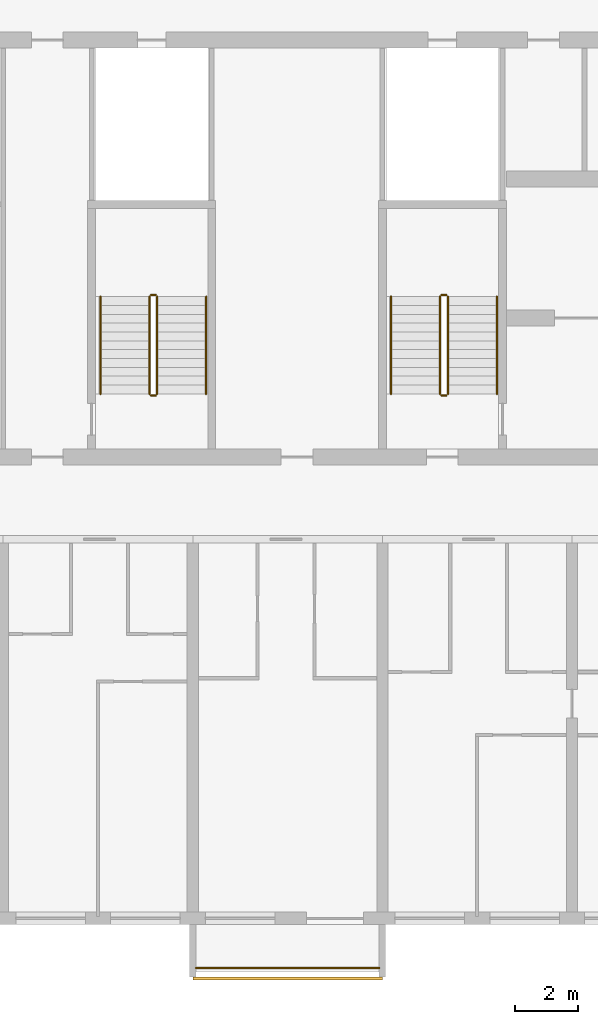
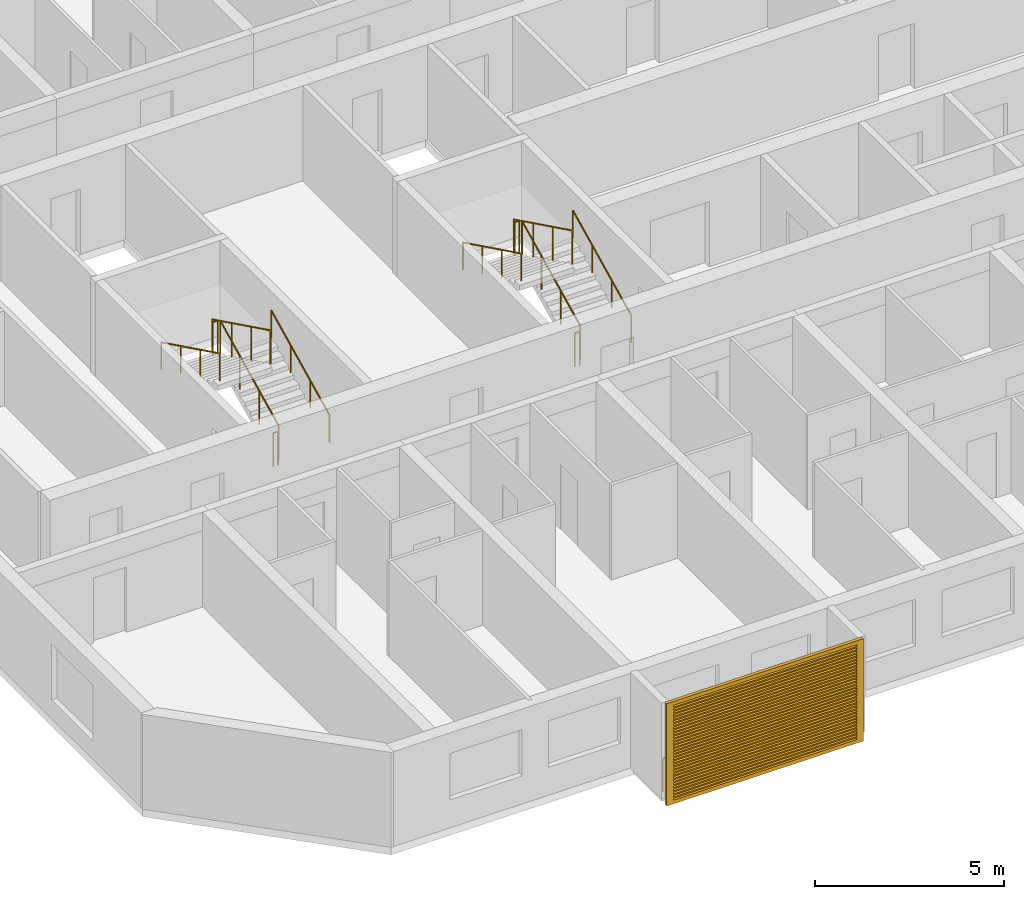
# One storey, part 15 of 24: 13 railings, 1 shading device.
"""IFC4 building model written with IfcOpenShell, lengths in metres."""

from ifc_helpers import new_model, si_unit, direction, frame, origin, origin_2d, place, context, subcontext, project, spatial, polyline, circle, outline, extrude, source, transform, mapped, material, material_profile, profile_set, type_object, element, save


model = new_model("IFC4")

# Units and contexts
model_context = context("Model", 3, precision=1e-05, world=origin(), true_north=direction((0.0, 1.0)))
body_context = subcontext(model_context, "Body", "Model", "MODEL_VIEW")
ifc_project = project(units=[si_unit("LENGTHUNIT", "METRE"), si_unit("AREAUNIT", "SQUARE_METRE"), si_unit("VOLUMEUNIT", "CUBIC_METRE"), si_unit("PLANEANGLEUNIT", "RADIAN"), si_unit("MASSUNIT", "GRAM", prefix="KILO")], contexts=[model_context])

# Site, building, storey
site_placement = place(None, origin())
site = spatial("IfcSite", under=ifc_project, at=site_placement, CompositionType="ELEMENT")
building_placement = place(site_placement, origin())
building = spatial("IfcBuilding", under=site, at=building_placement, Name="Poui Terraces", CompositionType="ELEMENT")
storey_placement = place(building_placement, frame((0.0, 0.0, 109.199951171875)))
storey = spatial("IfcBuildingStorey", under=building, at=storey_placement, Name="L30", CompositionType="ELEMENT", Elevation=109.199951171875)

# Railings
ifc_material_1 = material(Name="Painted steel fretwork", Category="steel")
railing_type_1 = type_object("IfcRailingType", Name="BALCONY GUARD 1100", PredefinedType="GUARDRAIL", material=ifc_material_1)
railing_1_placement = place(storey_placement, frame((24.10009765625, -1.570068359375, 0.0)))
element("IfcRailing", 1, at=railing_1_placement, inside=storey, type_object=railing_type_1, Name="BALCONY GUARD", PredefinedType="GUARDRAIL", context=body_context, shape_type="SweptSolid", body=[
    extrude(circle(Radius=0.02392578125, at=origin_2d()), frame((0.0, 0.0, 1.076171875), z_axis=(1.0, 0.0, 0.0), x_axis=(0.0, 1.0, 0.0)), (0.0, 0.0, 1.0), 5.7998046875),
    extrude(circle(Radius=0.02099609375, at=origin_2d()), origin(), (0.0, 0.0, 1.0), 1.052001953125),
    extrude(circle(Radius=0.02099609375, at=origin_2d()), frame((0.966552734375, 0.0, 0.0)), (0.0, 0.0, 1.0), 1.052001953125),
    extrude(circle(Radius=0.02099609375, at=origin_2d()), frame((1.933349609375, 0.0, 0.0)), (0.0, 0.0, 1.0), 1.052001953125),
    extrude(circle(Radius=0.02099609375, at=origin_2d()), frame((2.89990234375, 0.0, 0.0)), (0.0, 0.0, 1.0), 1.052001953125),
    extrude(circle(Radius=0.02099609375, at=origin_2d()), frame((3.866455078125, 0.0, 0.0)), (0.0, 0.0, 1.0), 1.052001953125),
    extrude(circle(Radius=0.02099609375, at=origin_2d()), frame((4.833251953125, 0.0, 0.0)), (0.0, 0.0, 1.0), 1.052001953125),
    extrude(circle(Radius=0.02099609375, at=origin_2d()), frame((5.7998046875, 0.0, 0.0)), (0.0, 0.0, 1.0), 1.052001953125),
])
ifc_material_2 = material(Name="Galvanised steel balustrade", Category="steel")
railing_type_2 = type_object("IfcRailingType", Name="STAIR GUARD 1100", PredefinedType="GUARDRAIL", material=ifc_material_2)
railing_2_placement = place(storey_placement, frame((32.074951171875, 16.60009765625, 0.137451171875)))
element("IfcRailing", 2, at=railing_2_placement, inside=storey, type_object=railing_type_2, Name="L30 ST-CW stair guard 1", PredefinedType="GUARDRAIL", context=body_context, shape_type="SweptSolid", body=[
    extrude(circle(Radius=0.02392578125, at=origin_2d()), frame((0.0, 0.0, 1.076171875), z_axis=(0.0, 0.897578036475, 0.440855609512), x_axis=(-1.0, 0.0, 0.0)), (0.0, 0.0, 1.0), 3.43115234375),
    extrude(circle(Radius=0.02099609375, at=origin_2d()), origin(), (0.0, 0.0, 1.0), 1.052001953125),
    extrude(circle(Radius=0.02099609375, at=origin_2d()), frame((0.0, 1.026611328125, 0.504150390625)), (0.0, 0.0, 1.0), 1.052001953125),
    extrude(circle(Radius=0.02099609375, at=origin_2d()), frame((0.0, 2.05322265625, 1.008544921875)), (0.0, 0.0, 1.0), 1.052001953125),
    extrude(circle(Radius=0.02099609375, at=origin_2d()), frame((0.0, 3.079833984375, 1.5126953125)), (0.0, 0.0, 1.0), 1.052001953125),
])
railing_3_placement = place(storey_placement, frame((32.02490234375, 19.72998046875, 1.650146484375)))
element("IfcRailing", 3, at=railing_3_placement, inside=storey, type_object=railing_type_2, Name="L30 ST-CW stair guard 2", PredefinedType="GUARDRAIL", context=body_context, shape_type="SweptSolid", body=[
    extrude(circle(Radius=0.02392578125, at=origin_2d()), frame((0.0, 0.0, 1.076171875), z_axis=(-1.0, 0.0, 0.0), x_axis=(0.0, -1.0, 0.0)), (0.0, 0.0, 1.0), 0.14990234375),
    extrude(circle(Radius=0.02099609375, at=origin_2d()), origin(), (0.0, 0.0, 1.0), 1.052001953125),
    extrude(circle(Radius=0.02099609375, at=origin_2d()), frame((-0.14990234375, 0.0, 0.0)), (0.0, 0.0, 1.0), 1.052001953125),
])
railing_4_placement = place(storey_placement, frame((31.824951171875, 19.679931640625, 1.78759765625)))
element("IfcRailing", 4, at=railing_4_placement, inside=storey, type_object=railing_type_2, Name="L30 ST-CW stair guard 3", PredefinedType="GUARDRAIL", context=body_context, shape_type="SweptSolid", body=[
    extrude(circle(Radius=0.02392578125, at=origin_2d()), frame((0.0, 0.0, 1.076171875), z_axis=(0.0, -0.897606190399, 0.440798283751), x_axis=(1.0, 0.0, 0.0)), (0.0, 0.0, 1.0), 3.43115234375),
    extrude(circle(Radius=0.02099609375, at=origin_2d()), origin(), (0.0, 0.0, 1.0), 1.052001953125),
    extrude(circle(Radius=0.02099609375, at=origin_2d()), frame((0.0, -1.026611328125, 0.504150390625)), (0.0, 0.0, 1.0), 1.052001953125),
    extrude(circle(Radius=0.02099609375, at=origin_2d()), frame((0.0, -2.05322265625, 1.00830078125)), (0.0, 0.0, 1.0), 1.052001953125),
    extrude(circle(Radius=0.02099609375, at=origin_2d()), frame((0.0, -3.079833984375, 1.512451171875)), (0.0, 0.0, 1.0), 1.052001953125),
])
railing_5_placement = place(storey_placement, frame((32.02490234375, 16.550048828125, 0.0)))
element("IfcRailing", 5, at=railing_5_placement, inside=storey, type_object=railing_type_2, Name="L30 ST-CW stair guard 4", PredefinedType="GUARDRAIL", context=body_context, shape_type="SweptSolid", body=[
    extrude(circle(Radius=0.02392578125, at=origin_2d()), frame((0.0, 0.0, 1.076171875), z_axis=(-1.0, 0.0, 0.0), x_axis=(0.0, -1.0, 0.0)), (0.0, 0.0, 1.0), 0.14990234375),
    extrude(circle(Radius=0.02099609375, at=origin_2d()), origin(), (0.0, 0.0, 1.0), 1.052001953125),
    extrude(circle(Radius=0.02099609375, at=origin_2d()), frame((-0.14990234375, 0.0, 0.0)), (0.0, 0.0, 1.0), 1.052001953125),
])
railing_6_placement = place(storey_placement, frame((22.875, 16.60009765625, 0.137451171875)))
element("IfcRailing", 6, at=railing_6_placement, inside=storey, type_object=railing_type_2, Name="L30 ST-W stair guard 1", PredefinedType="GUARDRAIL", context=body_context, shape_type="SweptSolid", body=[
    extrude(circle(Radius=0.02392578125, at=origin_2d()), frame((0.0, 0.0, 1.076171875), z_axis=(0.0, 0.897578036475, 0.440855609512), x_axis=(-1.0, 0.0, 0.0)), (0.0, 0.0, 1.0), 3.43115234375),
    extrude(circle(Radius=0.02099609375, at=origin_2d()), origin(), (0.0, 0.0, 1.0), 1.052001953125),
    extrude(circle(Radius=0.02099609375, at=origin_2d()), frame((0.0, 1.026611328125, 0.504150390625)), (0.0, 0.0, 1.0), 1.052001953125),
    extrude(circle(Radius=0.02099609375, at=origin_2d()), frame((0.0, 2.05322265625, 1.008544921875)), (0.0, 0.0, 1.0), 1.052001953125),
    extrude(circle(Radius=0.02099609375, at=origin_2d()), frame((0.0, 3.079833984375, 1.5126953125)), (0.0, 0.0, 1.0), 1.052001953125),
])
railing_7_placement = place(storey_placement, frame((22.824951171875, 19.72998046875, 1.650146484375)))
element("IfcRailing", 7, at=railing_7_placement, inside=storey, type_object=railing_type_2, Name="L30 ST-W stair guard 2", PredefinedType="GUARDRAIL", context=body_context, shape_type="SweptSolid", body=[
    extrude(circle(Radius=0.02392578125, at=origin_2d()), frame((0.0, 0.0, 1.076171875), z_axis=(-1.0, 0.0, 0.0), x_axis=(0.0, -1.0, 0.0)), (0.0, 0.0, 1.0), 0.14990234375),
    extrude(circle(Radius=0.02099609375, at=origin_2d()), origin(), (0.0, 0.0, 1.0), 1.052001953125),
    extrude(circle(Radius=0.02099609375, at=origin_2d()), frame((-0.14990234375, 0.0, 0.0)), (0.0, 0.0, 1.0), 1.052001953125),
])
railing_8_placement = place(storey_placement, frame((22.625, 19.679931640625, 1.78759765625)))
element("IfcRailing", 8, at=railing_8_placement, inside=storey, type_object=railing_type_2, Name="L30 ST-W stair guard 3", PredefinedType="GUARDRAIL", context=body_context, shape_type="SweptSolid", body=[
    extrude(circle(Radius=0.02392578125, at=origin_2d()), frame((0.0, 0.0, 1.076171875), z_axis=(0.0, -0.897606190399, 0.440798283751), x_axis=(1.0, 0.0, 0.0)), (0.0, 0.0, 1.0), 3.43115234375),
    extrude(circle(Radius=0.02099609375, at=origin_2d()), origin(), (0.0, 0.0, 1.0), 1.052001953125),
    extrude(circle(Radius=0.02099609375, at=origin_2d()), frame((0.0, -1.026611328125, 0.504150390625)), (0.0, 0.0, 1.0), 1.052001953125),
    extrude(circle(Radius=0.02099609375, at=origin_2d()), frame((0.0, -2.05322265625, 1.00830078125)), (0.0, 0.0, 1.0), 1.052001953125),
    extrude(circle(Radius=0.02099609375, at=origin_2d()), frame((0.0, -3.079833984375, 1.512451171875)), (0.0, 0.0, 1.0), 1.052001953125),
])
railing_9_placement = place(storey_placement, frame((22.824951171875, 16.550048828125, 0.0)))
element("IfcRailing", 9, at=railing_9_placement, inside=storey, type_object=railing_type_2, Name="L30 ST-W stair guard 4", PredefinedType="GUARDRAIL", context=body_context, shape_type="SweptSolid", body=[
    extrude(circle(Radius=0.02392578125, at=origin_2d()), frame((0.0, 0.0, 1.076171875), z_axis=(-1.0, 0.0, 0.0), x_axis=(0.0, -1.0, 0.0)), (0.0, 0.0, 1.0), 0.14990234375),
    extrude(circle(Radius=0.02099609375, at=origin_2d()), origin(), (0.0, 0.0, 1.0), 1.052001953125),
    extrude(circle(Radius=0.02099609375, at=origin_2d()), frame((-0.14990234375, 0.0, 0.0)), (0.0, 0.0, 1.0), 1.052001953125),
])
ifc_material_3 = material(Name="Stainless steel handrail", Category="steel")
railing_type_3 = type_object("IfcRailingType", Name="STAIR HANDRAIL 900", PredefinedType="HANDRAIL", material=ifc_material_3)
railing_10_placement = place(storey_placement, frame((33.625, 16.60009765625, 0.137451171875)))
element("IfcRailing", 10, at=railing_10_placement, inside=storey, type_object=railing_type_3, Name="L30 ST-CW stair handrail 1", PredefinedType="HANDRAIL", context=body_context, shape_type="SweptSolid", body=[
    extrude(circle(Radius=0.02392578125, at=origin_2d()), frame((0.0, 0.0, 0.8759765625), z_axis=(0.0, 0.897578036475, 0.440855609512), x_axis=(-1.0, 0.0, 0.0)), (0.0, 0.0, 1.0), 3.43115234375),
    extrude(circle(Radius=0.02099609375, at=origin_2d()), origin(), (0.0, 0.0, 1.0), 0.851806640625),
    extrude(circle(Radius=0.02099609375, at=origin_2d()), frame((0.0, 1.026611328125, 0.504150390625)), (0.0, 0.0, 1.0), 0.851806640625),
    extrude(circle(Radius=0.02099609375, at=origin_2d()), frame((0.0, 2.05322265625, 1.008544921875)), (0.0, 0.0, 1.0), 0.851806640625),
    extrude(circle(Radius=0.02099609375, at=origin_2d()), frame((0.0, 3.079833984375, 1.5126953125)), (0.0, 0.0, 1.0), 0.851806640625),
])
railing_11_placement = place(storey_placement, frame((30.27490234375, 19.679931640625, 1.78759765625)))
element("IfcRailing", 11, at=railing_11_placement, inside=storey, type_object=railing_type_3, Name="L30 ST-CW stair handrail 2", PredefinedType="HANDRAIL", context=body_context, shape_type="SweptSolid", body=[
    extrude(circle(Radius=0.02392578125, at=origin_2d()), frame((0.0, 0.0, 0.8759765625), z_axis=(0.0, -0.897606190399, 0.440798283751), x_axis=(1.0, 0.0, 0.0)), (0.0, 0.0, 1.0), 3.43115234375),
    extrude(circle(Radius=0.02099609375, at=origin_2d()), origin(), (0.0, 0.0, 1.0), 0.851806640625),
    extrude(circle(Radius=0.02099609375, at=origin_2d()), frame((0.0, -1.026611328125, 0.504150390625)), (0.0, 0.0, 1.0), 0.851806640625),
    extrude(circle(Radius=0.02099609375, at=origin_2d()), frame((0.0, -2.05322265625, 1.00830078125)), (0.0, 0.0, 1.0), 0.851806640625),
    extrude(circle(Radius=0.02099609375, at=origin_2d()), frame((0.0, -3.079833984375, 1.512451171875)), (0.0, 0.0, 1.0), 0.851806640625),
])
railing_12_placement = place(storey_placement, frame((24.425048828125, 16.60009765625, 0.137451171875)))
element("IfcRailing", 12, at=railing_12_placement, inside=storey, type_object=railing_type_3, Name="L30 ST-W stair handrail 1", PredefinedType="HANDRAIL", context=body_context, shape_type="SweptSolid", body=[
    extrude(circle(Radius=0.02392578125, at=origin_2d()), frame((0.0, 0.0, 0.8759765625), z_axis=(0.0, 0.897578036475, 0.440855609512), x_axis=(-1.0, 0.0, 0.0)), (0.0, 0.0, 1.0), 3.43115234375),
    extrude(circle(Radius=0.02099609375, at=origin_2d()), origin(), (0.0, 0.0, 1.0), 0.851806640625),
    extrude(circle(Radius=0.02099609375, at=origin_2d()), frame((0.0, 1.026611328125, 0.504150390625)), (0.0, 0.0, 1.0), 0.851806640625),
    extrude(circle(Radius=0.02099609375, at=origin_2d()), frame((0.0, 2.05322265625, 1.008544921875)), (0.0, 0.0, 1.0), 0.851806640625),
    extrude(circle(Radius=0.02099609375, at=origin_2d()), frame((0.0, 3.079833984375, 1.5126953125)), (0.0, 0.0, 1.0), 0.851806640625),
])
railing_13_placement = place(storey_placement, frame((21.074951171875, 19.679931640625, 1.78759765625)))
element("IfcRailing", 13, at=railing_13_placement, inside=storey, type_object=railing_type_3, Name="L30 ST-W stair handrail 2", PredefinedType="HANDRAIL", context=body_context, shape_type="SweptSolid", body=[
    extrude(circle(Radius=0.02392578125, at=origin_2d()), frame((0.0, 0.0, 0.8759765625), z_axis=(0.0, -0.897606190399, 0.440798283751), x_axis=(1.0, 0.0, 0.0)), (0.0, 0.0, 1.0), 3.43115234375),
    extrude(circle(Radius=0.02099609375, at=origin_2d()), origin(), (0.0, 0.0, 1.0), 0.851806640625),
    extrude(circle(Radius=0.02099609375, at=origin_2d()), frame((0.0, -1.026611328125, 0.504150390625)), (0.0, 0.0, 1.0), 0.851806640625),
    extrude(circle(Radius=0.02099609375, at=origin_2d()), frame((0.0, -2.05322265625, 1.00830078125)), (0.0, 0.0, 1.0), 0.851806640625),
    extrude(circle(Radius=0.02099609375, at=origin_2d()), frame((0.0, -3.079833984375, 1.512451171875)), (0.0, 0.0, 1.0), 0.851806640625),
])

# Shading device
ifc_material_4 = material(Name="Aluminium louvre", Category="aluminium")
ifc_material_profile = material_profile(ifc_material_4, outline(polyline([(-3.0, -1.64990234375), (3.0, -1.64990234375), (3.0, 1.64990234375), (-3.0, 1.64990234375), (-3.0, -1.64990234375)]), holes=[polyline([(-2.800048828125, -1.530029296875), (2.800048828125, -1.530029296875), (2.800048828125, -1.469970703125), (-2.800048828125, -1.469970703125), (-2.800048828125, -1.530029296875)]), polyline([(-2.800048828125, -1.429931640625), (2.800048828125, -1.429931640625), (2.800048828125, -1.3701171875), (-2.800048828125, -1.3701171875), (-2.800048828125, -1.429931640625)]), polyline([(-2.800048828125, -1.330078125), (2.800048828125, -1.330078125), (2.800048828125, -1.27001953125), (-2.800048828125, -1.27001953125), (-2.800048828125, -1.330078125)]), polyline([(-2.800048828125, -1.22998046875), (2.800048828125, -1.22998046875), (2.800048828125, -1.169921875), (-2.800048828125, -1.169921875), (-2.800048828125, -1.22998046875)]), polyline([(-2.800048828125, -1.1298828125), (2.800048828125, -1.1298828125), (2.800048828125, -1.070068359375), (-2.800048828125, -1.070068359375), (-2.800048828125, -1.1298828125)]), polyline([(-2.800048828125, -1.030029296875), (2.800048828125, -1.030029296875), (2.800048828125, -0.969970703125), (-2.800048828125, -0.969970703125), (-2.800048828125, -1.030029296875)]), polyline([(-2.800048828125, -0.929931640625), (2.800048828125, -0.929931640625), (2.800048828125, -0.8701171875), (-2.800048828125, -0.8701171875), (-2.800048828125, -0.929931640625)]), polyline([(-2.800048828125, -0.830078125), (2.800048828125, -0.830078125), (2.800048828125, -0.77001953125), (-2.800048828125, -0.77001953125), (-2.800048828125, -0.830078125)]), polyline([(-2.800048828125, -0.72998046875), (2.800048828125, -0.72998046875), (2.800048828125, -0.669921875), (-2.800048828125, -0.669921875), (-2.800048828125, -0.72998046875)]), polyline([(-2.800048828125, -0.6298828125), (2.800048828125, -0.6298828125), (2.800048828125, -0.570068359375), (-2.800048828125, -0.570068359375), (-2.800048828125, -0.6298828125)]), polyline([(-2.800048828125, -0.530029296875), (2.800048828125, -0.530029296875), (2.800048828125, -0.469970703125), (-2.800048828125, -0.469970703125), (-2.800048828125, -0.530029296875)]), polyline([(-2.800048828125, -0.429931640625), (2.800048828125, -0.429931640625), (2.800048828125, -0.3701171875), (-2.800048828125, -0.3701171875), (-2.800048828125, -0.429931640625)]), polyline([(-2.800048828125, -0.330078125), (2.800048828125, -0.330078125), (2.800048828125, -0.27001953125), (-2.800048828125, -0.27001953125), (-2.800048828125, -0.330078125)]), polyline([(-2.800048828125, -0.22998046875), (2.800048828125, -0.22998046875), (2.800048828125, -0.169921875), (-2.800048828125, -0.169921875), (-2.800048828125, -0.22998046875)]), polyline([(-2.800048828125, -0.1298828125), (2.800048828125, -0.1298828125), (2.800048828125, -0.070068359375), (-2.800048828125, -0.070068359375), (-2.800048828125, -0.1298828125)]), polyline([(-2.800048828125, -0.030029296875), (2.800048828125, -0.030029296875), (2.800048828125, 0.030029296875), (-2.800048828125, 0.030029296875), (-2.800048828125, -0.030029296875)]), polyline([(-2.800048828125, 0.070068359375), (2.800048828125, 0.070068359375), (2.800048828125, 0.1298828125), (-2.800048828125, 0.1298828125), (-2.800048828125, 0.070068359375)]), polyline([(-2.800048828125, 0.169921875), (2.800048828125, 0.169921875), (2.800048828125, 0.22998046875), (-2.800048828125, 0.22998046875), (-2.800048828125, 0.169921875)]), polyline([(-2.800048828125, 0.27001953125), (2.800048828125, 0.27001953125), (2.800048828125, 0.330078125), (-2.800048828125, 0.330078125), (-2.800048828125, 0.27001953125)]), polyline([(-2.800048828125, 0.3701171875), (2.800048828125, 0.3701171875), (2.800048828125, 0.429931640625), (-2.800048828125, 0.429931640625), (-2.800048828125, 0.3701171875)]), polyline([(-2.800048828125, 0.469970703125), (2.800048828125, 0.469970703125), (2.800048828125, 0.530029296875), (-2.800048828125, 0.530029296875), (-2.800048828125, 0.469970703125)]), polyline([(-2.800048828125, 0.570068359375), (2.800048828125, 0.570068359375), (2.800048828125, 0.6298828125), (-2.800048828125, 0.6298828125), (-2.800048828125, 0.570068359375)]), polyline([(-2.800048828125, 0.669921875), (2.800048828125, 0.669921875), (2.800048828125, 0.72998046875), (-2.800048828125, 0.72998046875), (-2.800048828125, 0.669921875)]), polyline([(-2.800048828125, 0.77001953125), (2.800048828125, 0.77001953125), (2.800048828125, 0.830078125), (-2.800048828125, 0.830078125), (-2.800048828125, 0.77001953125)]), polyline([(-2.800048828125, 0.8701171875), (2.800048828125, 0.8701171875), (2.800048828125, 0.929931640625), (-2.800048828125, 0.929931640625), (-2.800048828125, 0.8701171875)]), polyline([(-2.800048828125, 0.969970703125), (2.800048828125, 0.969970703125), (2.800048828125, 1.030029296875), (-2.800048828125, 1.030029296875), (-2.800048828125, 0.969970703125)]), polyline([(-2.800048828125, 1.070068359375), (2.800048828125, 1.070068359375), (2.800048828125, 1.1298828125), (-2.800048828125, 1.1298828125), (-2.800048828125, 1.070068359375)]), polyline([(-2.800048828125, 1.169921875), (2.800048828125, 1.169921875), (2.800048828125, 1.22998046875), (-2.800048828125, 1.22998046875), (-2.800048828125, 1.169921875)]), polyline([(-2.800048828125, 1.27001953125), (2.800048828125, 1.27001953125), (2.800048828125, 1.330078125), (-2.800048828125, 1.330078125), (-2.800048828125, 1.27001953125)]), polyline([(-2.800048828125, 1.3701171875), (2.800048828125, 1.3701171875), (2.800048828125, 1.429931640625), (-2.800048828125, 1.429931640625), (-2.800048828125, 1.3701171875)]), polyline([(-2.800048828125, 1.469970703125), (2.800048828125, 1.469970703125), (2.800048828125, 1.530029296875), (-2.800048828125, 1.530029296875), (-2.800048828125, 1.469970703125)])]), Name="JALOUSIE LOUVRE SHUTTER 6000X3300")
ifc_profile_set = profile_set([ifc_material_profile], Name="Aluminium louvre")
shading_device_type = type_object("IfcShadingDeviceType", Name="JALOUSIE LOUVRE SHUTTER 6000X3300", PredefinedType="JALOUSIE", material=ifc_profile_set)
shared_shape = source(origin(), body_context, "Body", "SweptSolid", [
    extrude(outline(polyline([(-3.0, -1.64990234375), (3.0, -1.64990234375), (3.0, 1.64990234375), (-3.0, 1.64990234375), (-3.0, -1.64990234375)]), holes=[polyline([(-2.800048828125, -1.530029296875), (2.800048828125, -1.530029296875), (2.800048828125, -1.469970703125), (-2.800048828125, -1.469970703125), (-2.800048828125, -1.530029296875)]), polyline([(-2.800048828125, -1.429931640625), (2.800048828125, -1.429931640625), (2.800048828125, -1.3701171875), (-2.800048828125, -1.3701171875), (-2.800048828125, -1.429931640625)]), polyline([(-2.800048828125, -1.330078125), (2.800048828125, -1.330078125), (2.800048828125, -1.27001953125), (-2.800048828125, -1.27001953125), (-2.800048828125, -1.330078125)]), polyline([(-2.800048828125, -1.22998046875), (2.800048828125, -1.22998046875), (2.800048828125, -1.169921875), (-2.800048828125, -1.169921875), (-2.800048828125, -1.22998046875)]), polyline([(-2.800048828125, -1.1298828125), (2.800048828125, -1.1298828125), (2.800048828125, -1.070068359375), (-2.800048828125, -1.070068359375), (-2.800048828125, -1.1298828125)]), polyline([(-2.800048828125, -1.030029296875), (2.800048828125, -1.030029296875), (2.800048828125, -0.969970703125), (-2.800048828125, -0.969970703125), (-2.800048828125, -1.030029296875)]), polyline([(-2.800048828125, -0.929931640625), (2.800048828125, -0.929931640625), (2.800048828125, -0.8701171875), (-2.800048828125, -0.8701171875), (-2.800048828125, -0.929931640625)]), polyline([(-2.800048828125, -0.830078125), (2.800048828125, -0.830078125), (2.800048828125, -0.77001953125), (-2.800048828125, -0.77001953125), (-2.800048828125, -0.830078125)]), polyline([(-2.800048828125, -0.72998046875), (2.800048828125, -0.72998046875), (2.800048828125, -0.669921875), (-2.800048828125, -0.669921875), (-2.800048828125, -0.72998046875)]), polyline([(-2.800048828125, -0.6298828125), (2.800048828125, -0.6298828125), (2.800048828125, -0.570068359375), (-2.800048828125, -0.570068359375), (-2.800048828125, -0.6298828125)]), polyline([(-2.800048828125, -0.530029296875), (2.800048828125, -0.530029296875), (2.800048828125, -0.469970703125), (-2.800048828125, -0.469970703125), (-2.800048828125, -0.530029296875)]), polyline([(-2.800048828125, -0.429931640625), (2.800048828125, -0.429931640625), (2.800048828125, -0.3701171875), (-2.800048828125, -0.3701171875), (-2.800048828125, -0.429931640625)]), polyline([(-2.800048828125, -0.330078125), (2.800048828125, -0.330078125), (2.800048828125, -0.27001953125), (-2.800048828125, -0.27001953125), (-2.800048828125, -0.330078125)]), polyline([(-2.800048828125, -0.22998046875), (2.800048828125, -0.22998046875), (2.800048828125, -0.169921875), (-2.800048828125, -0.169921875), (-2.800048828125, -0.22998046875)]), polyline([(-2.800048828125, -0.1298828125), (2.800048828125, -0.1298828125), (2.800048828125, -0.070068359375), (-2.800048828125, -0.070068359375), (-2.800048828125, -0.1298828125)]), polyline([(-2.800048828125, -0.030029296875), (2.800048828125, -0.030029296875), (2.800048828125, 0.030029296875), (-2.800048828125, 0.030029296875), (-2.800048828125, -0.030029296875)]), polyline([(-2.800048828125, 0.070068359375), (2.800048828125, 0.070068359375), (2.800048828125, 0.1298828125), (-2.800048828125, 0.1298828125), (-2.800048828125, 0.070068359375)]), polyline([(-2.800048828125, 0.169921875), (2.800048828125, 0.169921875), (2.800048828125, 0.22998046875), (-2.800048828125, 0.22998046875), (-2.800048828125, 0.169921875)]), polyline([(-2.800048828125, 0.27001953125), (2.800048828125, 0.27001953125), (2.800048828125, 0.330078125), (-2.800048828125, 0.330078125), (-2.800048828125, 0.27001953125)]), polyline([(-2.800048828125, 0.3701171875), (2.800048828125, 0.3701171875), (2.800048828125, 0.429931640625), (-2.800048828125, 0.429931640625), (-2.800048828125, 0.3701171875)]), polyline([(-2.800048828125, 0.469970703125), (2.800048828125, 0.469970703125), (2.800048828125, 0.530029296875), (-2.800048828125, 0.530029296875), (-2.800048828125, 0.469970703125)]), polyline([(-2.800048828125, 0.570068359375), (2.800048828125, 0.570068359375), (2.800048828125, 0.6298828125), (-2.800048828125, 0.6298828125), (-2.800048828125, 0.570068359375)]), polyline([(-2.800048828125, 0.669921875), (2.800048828125, 0.669921875), (2.800048828125, 0.72998046875), (-2.800048828125, 0.72998046875), (-2.800048828125, 0.669921875)]), polyline([(-2.800048828125, 0.77001953125), (2.800048828125, 0.77001953125), (2.800048828125, 0.830078125), (-2.800048828125, 0.830078125), (-2.800048828125, 0.77001953125)]), polyline([(-2.800048828125, 0.8701171875), (2.800048828125, 0.8701171875), (2.800048828125, 0.929931640625), (-2.800048828125, 0.929931640625), (-2.800048828125, 0.8701171875)]), polyline([(-2.800048828125, 0.969970703125), (2.800048828125, 0.969970703125), (2.800048828125, 1.030029296875), (-2.800048828125, 1.030029296875), (-2.800048828125, 0.969970703125)]), polyline([(-2.800048828125, 1.070068359375), (2.800048828125, 1.070068359375), (2.800048828125, 1.1298828125), (-2.800048828125, 1.1298828125), (-2.800048828125, 1.070068359375)]), polyline([(-2.800048828125, 1.169921875), (2.800048828125, 1.169921875), (2.800048828125, 1.22998046875), (-2.800048828125, 1.22998046875), (-2.800048828125, 1.169921875)]), polyline([(-2.800048828125, 1.27001953125), (2.800048828125, 1.27001953125), (2.800048828125, 1.330078125), (-2.800048828125, 1.330078125), (-2.800048828125, 1.27001953125)]), polyline([(-2.800048828125, 1.3701171875), (2.800048828125, 1.3701171875), (2.800048828125, 1.429931640625), (-2.800048828125, 1.429931640625), (-2.800048828125, 1.3701171875)]), polyline([(-2.800048828125, 1.469970703125), (2.800048828125, 1.469970703125), (2.800048828125, 1.530029296875), (-2.800048828125, 1.530029296875), (-2.800048828125, 1.469970703125)])]), origin(), (0.0, 0.0, 1.0), 0.099853515625),
])
shading_device_placement = place(storey_placement, frame((27.0, -1.85009765625, 1.449951171875), z_axis=(0.0, -1.0, 0.0), x_axis=(1.0, 0.0, 0.0)))
element("IfcShadingDevice", 14, at=shading_device_placement, inside=storey, type_object=shading_device_type, Name="JALOUSIE LOUVRE SHUTTER", PredefinedType="JALOUSIE", context=body_context, shape_type="MappedRepresentation", body=[
    mapped(shared_shape, transform((0.0, 0.0, 0.0))),
])

save(model, "model.ifc")
